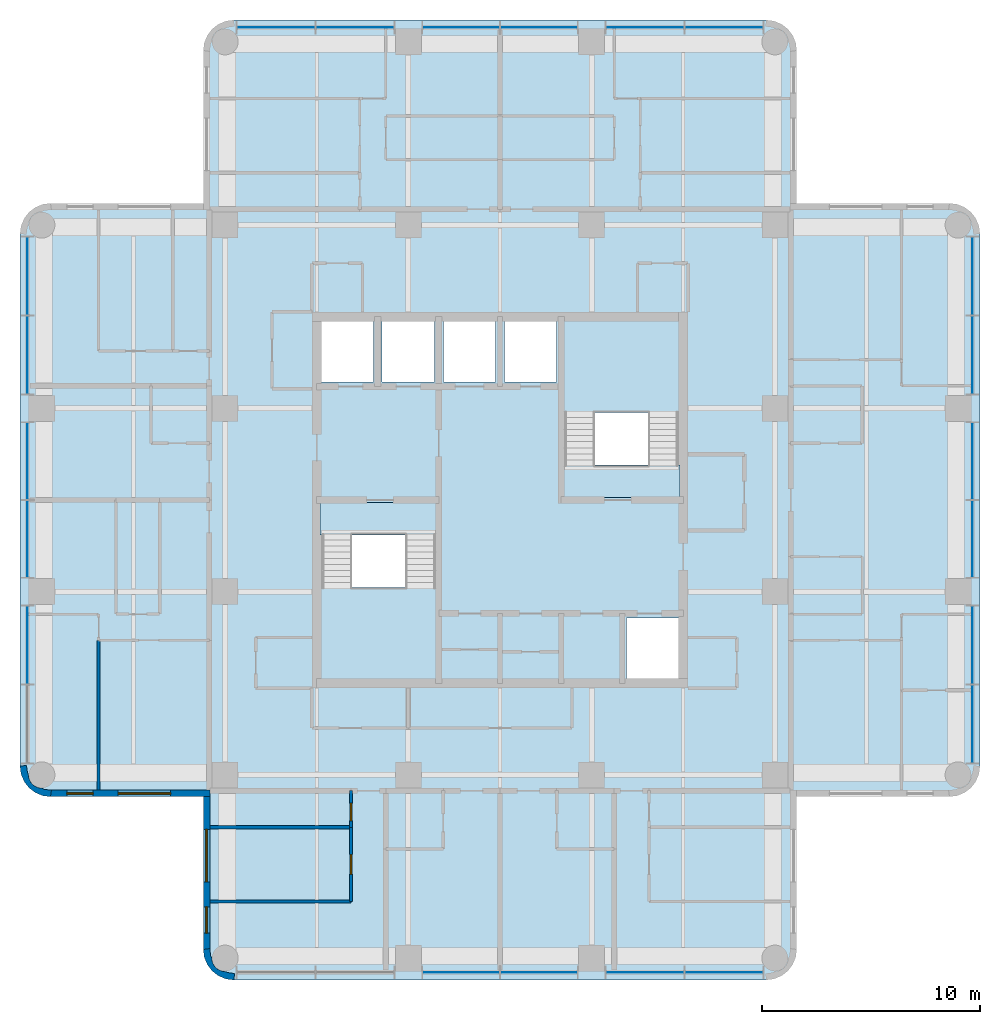
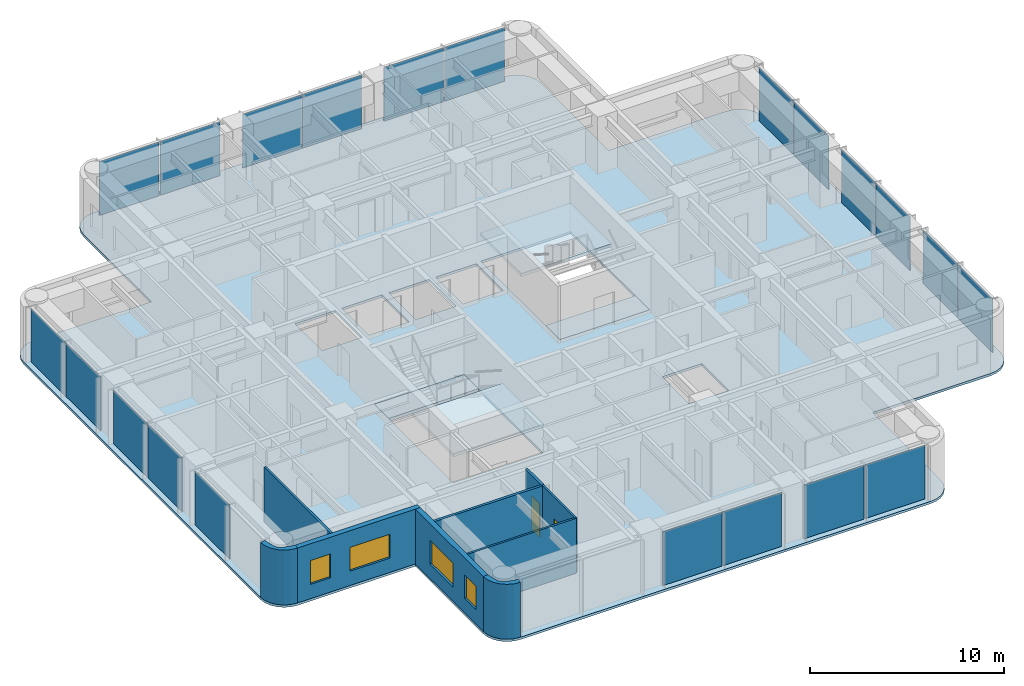
# One storey, part 3 of 10: 21 plates, 9 walls, 5 slabs, 4 windows, 2 doors, 6 openings, 6 elements without a shape of their own.
"""IFC4 building model written with IfcOpenShell, lengths in metres."""

from ifc_helpers import new_model, si_unit, direction, frame, frame_2d, origin, origin_2d, place, context, subcontext, project, spatial, polyline, rectangle, outline, extrude, material, layer, layer_set, type_object, element, fill, aggregate, save


model = new_model("IFC4")

# Units and contexts
model_context = context("Model", 3, precision=1e-05, world=origin(), true_north=direction((0.0, 1.0)))
body_context = subcontext(model_context, "Body", "Model", "MODEL_VIEW")
ifc_project = project(units=[si_unit("LENGTHUNIT", "METRE"), si_unit("AREAUNIT", "SQUARE_METRE"), si_unit("VOLUMEUNIT", "CUBIC_METRE"), si_unit("PLANEANGLEUNIT", "RADIAN"), si_unit("MASSUNIT", "GRAM", prefix="KILO")], contexts=[model_context])

# Site, building, storey
site_placement = place(None, origin())
site = spatial("IfcSite", under=ifc_project, at=site_placement, CompositionType="ELEMENT")
building_placement = place(site_placement, origin())
building = spatial("IfcBuilding", under=site, at=building_placement, Name="Torre Alcanfor", CompositionType="ELEMENT")
storey_placement = place(building_placement, frame((0.0, 0.0, 282.89990234375)))
storey = spatial("IfcBuildingStorey", under=building, at=storey_placement, Name="L74", CompositionType="ELEMENT", Elevation=282.89990234375)

# Curtain wall, plates
ifc_material_1 = material(Name="Aluminium and glass", Category="aluminium")
curtain_wall_type = type_object("IfcCurtainWallType", Name="CW-A unitised apartment glazing with vertical FIN", PredefinedType="NOTDEFINED", material=ifc_material_1)
curtain_wall_1_placement = place(storey_placement, origin())
curtain_wall_1 = element("IfcCurtainWall", 1, at=curtain_wall_1_placement, inside=storey, type_object=curtain_wall_type, Name="Curtain wall CW-A L74 2", PredefinedType="NOTDEFINED")
ifc_material_2 = material(Name="Glass", Category="glass")
ifc_layer_1 = layer(ifc_material_2, 0.028076171875)
ifc_layer_set_1 = layer_set([ifc_layer_1], Name="CW-A clear double glazed unit")
plate_type = type_object("IfcPlateType", Name="CW-A clear double glazed unit", PredefinedType="CURTAIN_PANEL", material=ifc_layer_set_1)
plate_1_placement = place(storey_placement, frame((7.75, 39.664794921875, 0.0), z_axis=(0.0, 0.0, 1.0), x_axis=(0.0, -1.0, 0.0)))
plate_1 = element("IfcPlate", 2, at=plate_1_placement, type_object=plate_type, Name="CW-A panel 1.1.1", PredefinedType="CURTAIN_PANEL", context=body_context, shape_type="SweptSolid", body=[
    extrude(rectangle(XDim=3.55322265625, YDim=0.028076171875, at=origin_2d()), origin(), (0.0, 0.0, 1.0), 3.385009765625),
])
plate_2_placement = place(storey_placement, frame((7.75, 36.046630859375, 0.0), z_axis=(0.0, 0.0, 1.0), x_axis=(0.0, -1.0, 0.0)))
plate_2 = element("IfcPlate", 3, at=plate_2_placement, type_object=plate_type, Name="CW-A panel 1.2.1", PredefinedType="CURTAIN_PANEL", context=body_context, shape_type="SweptSolid", body=[
    extrude(rectangle(XDim=3.55322265625, YDim=0.028076171875, at=origin_2d()), origin(), (0.0, 0.0, 1.0), 3.385009765625),
])
plate_3_placement = place(storey_placement, frame((7.75, 31.18115234375, 0.0), z_axis=(0.0, 0.0, 1.0), x_axis=(0.0, -1.0, 0.0)))
plate_3 = element("IfcPlate", 4, at=plate_3_placement, type_object=plate_type, Name="CW-A panel 2.1.1", PredefinedType="CURTAIN_PANEL", context=body_context, shape_type="SweptSolid", body=[
    extrude(rectangle(XDim=3.49755859375, YDim=0.028076171875, at=origin_2d()), origin(), (0.0, 0.0, 1.0), 3.385009765625),
])
plate_4_placement = place(storey_placement, frame((7.75, 27.61865234375, 0.0), z_axis=(0.0, 0.0, 1.0), x_axis=(0.0, -1.0, 0.0)))
plate_4 = element("IfcPlate", 5, at=plate_4_placement, type_object=plate_type, Name="CW-A panel 2.2.1", PredefinedType="CURTAIN_PANEL", context=body_context, shape_type="SweptSolid", body=[
    extrude(rectangle(XDim=3.49755859375, YDim=0.028076171875, at=origin_2d()), origin(), (0.0, 0.0, 1.0), 3.385009765625),
])
plate_5_placement = place(storey_placement, frame((7.75, 22.75341796875, 0.0), z_axis=(0.0, 0.0, 1.0), x_axis=(0.0, -1.0, 0.0)))
plate_5 = element("IfcPlate", 6, at=plate_5_placement, type_object=plate_type, Name="CW-A panel 3.1.1", PredefinedType="CURTAIN_PANEL", context=body_context, shape_type="SweptSolid", body=[
    extrude(rectangle(XDim=3.55322265625, YDim=0.028076171875, at=origin_2d()), origin(), (0.0, 0.0, 1.0), 3.385009765625),
])
aggregate(curtain_wall_1, [plate_1, plate_2, plate_3, plate_4, plate_5])

curtain_wall_2_placement = place(storey_placement, origin())
curtain_wall_2 = element("IfcCurtainWall", 7, at=curtain_wall_2_placement, inside=storey, type_object=curtain_wall_type, Name="Curtain wall CW-A L74 5", PredefinedType="NOTDEFINED")
plate_6_placement = place(storey_placement, frame((27.61865234375, 7.75, 0.0), z_axis=(0.0, 0.0, 1.0), x_axis=(1.0, 0.0, 0.0)))
plate_6 = element("IfcPlate", 8, at=plate_6_placement, type_object=plate_type, Name="CW-A panel 2.1.1", PredefinedType="CURTAIN_PANEL", context=body_context, shape_type="SweptSolid", body=[
    extrude(rectangle(XDim=3.49755859375, YDim=0.028076171875, at=origin_2d()), origin(), (0.0, 0.0, 1.0), 3.385009765625),
])
plate_7_placement = place(storey_placement, frame((31.18115234375, 7.75, 0.0), z_axis=(0.0, 0.0, 1.0), x_axis=(1.0, 0.0, 0.0)))
plate_7 = element("IfcPlate", 9, at=plate_7_placement, type_object=plate_type, Name="CW-A panel 2.2.1", PredefinedType="CURTAIN_PANEL", context=body_context, shape_type="SweptSolid", body=[
    extrude(rectangle(XDim=3.49755859375, YDim=0.028076171875, at=origin_2d()), origin(), (0.0, 0.0, 1.0), 3.385009765625),
])
plate_8_placement = place(storey_placement, frame((36.046630859375, 7.75, 0.0), z_axis=(0.0, 0.0, 1.0), x_axis=(1.0, 0.0, 0.0)))
plate_8 = element("IfcPlate", 10, at=plate_8_placement, type_object=plate_type, Name="CW-A panel 3.1.1", PredefinedType="CURTAIN_PANEL", context=body_context, shape_type="SweptSolid", body=[
    extrude(rectangle(XDim=3.55322265625, YDim=0.028076171875, at=origin_2d()), origin(), (0.0, 0.0, 1.0), 3.385009765625),
])
plate_9_placement = place(storey_placement, frame((39.664794921875, 7.75, 0.0), z_axis=(0.0, 0.0, 1.0), x_axis=(1.0, 0.0, 0.0)))
plate_9 = element("IfcPlate", 11, at=plate_9_placement, type_object=plate_type, Name="CW-A panel 3.2.1", PredefinedType="CURTAIN_PANEL", context=body_context, shape_type="SweptSolid", body=[
    extrude(rectangle(XDim=3.55322265625, YDim=0.028076171875, at=origin_2d()), origin(), (0.0, 0.0, 1.0), 3.385009765625),
])
aggregate(curtain_wall_2, [plate_6, plate_7, plate_8, plate_9])

curtain_wall_3_placement = place(storey_placement, origin())
curtain_wall_3 = element("IfcCurtainWall", 12, at=curtain_wall_3_placement, inside=storey, type_object=curtain_wall_type, Name="Curtain wall CW-A L74 8", PredefinedType="NOTDEFINED")
plate_10_placement = place(storey_placement, frame((51.050048828125, 19.135009765625, 0.0), z_axis=(0.0, 0.0, 1.0), x_axis=(0.0, 1.0, 0.0)))
plate_10 = element("IfcPlate", 13, at=plate_10_placement, type_object=plate_type, Name="CW-A panel 1.1.1", PredefinedType="CURTAIN_PANEL", context=body_context, shape_type="SweptSolid", body=[
    extrude(rectangle(XDim=3.55322265625, YDim=0.028076171875, at=origin_2d()), origin(), (0.0, 0.0, 1.0), 3.385009765625),
])
plate_11_placement = place(storey_placement, frame((51.050048828125, 22.75341796875, 0.0), z_axis=(0.0, 0.0, 1.0), x_axis=(0.0, 1.0, 0.0)))
plate_11 = element("IfcPlate", 14, at=plate_11_placement, type_object=plate_type, Name="CW-A panel 1.2.1", PredefinedType="CURTAIN_PANEL", context=body_context, shape_type="SweptSolid", body=[
    extrude(rectangle(XDim=3.55322265625, YDim=0.028076171875, at=origin_2d()), origin(), (0.0, 0.0, 1.0), 3.385009765625),
])
plate_12_placement = place(storey_placement, frame((51.050048828125, 27.61865234375, 0.0), z_axis=(0.0, 0.0, 1.0), x_axis=(0.0, 1.0, 0.0)))
plate_12 = element("IfcPlate", 15, at=plate_12_placement, type_object=plate_type, Name="CW-A panel 2.1.1", PredefinedType="CURTAIN_PANEL", context=body_context, shape_type="SweptSolid", body=[
    extrude(rectangle(XDim=3.49755859375, YDim=0.028076171875, at=origin_2d()), origin(), (0.0, 0.0, 1.0), 3.385009765625),
])
plate_13_placement = place(storey_placement, frame((51.050048828125, 31.18115234375, 0.0), z_axis=(0.0, 0.0, 1.0), x_axis=(0.0, 1.0, 0.0)))
plate_13 = element("IfcPlate", 16, at=plate_13_placement, type_object=plate_type, Name="CW-A panel 2.2.1", PredefinedType="CURTAIN_PANEL", context=body_context, shape_type="SweptSolid", body=[
    extrude(rectangle(XDim=3.49755859375, YDim=0.028076171875, at=origin_2d()), origin(), (0.0, 0.0, 1.0), 3.385009765625),
])
plate_14_placement = place(storey_placement, frame((51.050048828125, 36.046630859375, 0.0), z_axis=(0.0, 0.0, 1.0), x_axis=(0.0, 1.0, 0.0)))
plate_14 = element("IfcPlate", 17, at=plate_14_placement, type_object=plate_type, Name="CW-A panel 3.1.1", PredefinedType="CURTAIN_PANEL", context=body_context, shape_type="SweptSolid", body=[
    extrude(rectangle(XDim=3.55322265625, YDim=0.028076171875, at=origin_2d()), origin(), (0.0, 0.0, 1.0), 3.385009765625),
])
plate_15_placement = place(storey_placement, frame((51.050048828125, 39.664794921875, 0.0), z_axis=(0.0, 0.0, 1.0), x_axis=(0.0, 1.0, 0.0)))
plate_15 = element("IfcPlate", 18, at=plate_15_placement, type_object=plate_type, Name="CW-A panel 3.2.1", PredefinedType="CURTAIN_PANEL", context=body_context, shape_type="SweptSolid", body=[
    extrude(rectangle(XDim=3.55322265625, YDim=0.028076171875, at=origin_2d()), origin(), (0.0, 0.0, 1.0), 3.385009765625),
])
aggregate(curtain_wall_3, [plate_10, plate_11, plate_12, plate_13, plate_14, plate_15])

curtain_wall_4_placement = place(storey_placement, origin())
curtain_wall_4 = element("IfcCurtainWall", 19, at=curtain_wall_4_placement, inside=storey, type_object=curtain_wall_type, Name="Curtain wall CW-A L74 11", PredefinedType="NOTDEFINED")
plate_16_placement = place(storey_placement, frame((39.664794921875, 51.050048828125, 0.0), z_axis=(0.0, 0.0, 1.0), x_axis=(-1.0, 0.0, 0.0)))
plate_16 = element("IfcPlate", 20, at=plate_16_placement, type_object=plate_type, Name="CW-A panel 1.1.1", PredefinedType="CURTAIN_PANEL", context=body_context, shape_type="SweptSolid", body=[
    extrude(rectangle(XDim=3.55322265625, YDim=0.028076171875, at=origin_2d()), origin(), (0.0, 0.0, 1.0), 3.385009765625),
])
plate_17_placement = place(storey_placement, frame((36.046630859375, 51.050048828125, 0.0), z_axis=(0.0, 0.0, 1.0), x_axis=(-1.0, 0.0, 0.0)))
plate_17 = element("IfcPlate", 21, at=plate_17_placement, type_object=plate_type, Name="CW-A panel 1.2.1", PredefinedType="CURTAIN_PANEL", context=body_context, shape_type="SweptSolid", body=[
    extrude(rectangle(XDim=3.55322265625, YDim=0.028076171875, at=origin_2d()), origin(), (0.0, 0.0, 1.0), 3.385009765625),
])
plate_18_placement = place(storey_placement, frame((31.18115234375, 51.050048828125, 0.0), z_axis=(0.0, 0.0, 1.0), x_axis=(-1.0, 0.0, 0.0)))
plate_18 = element("IfcPlate", 22, at=plate_18_placement, type_object=plate_type, Name="CW-A panel 2.1.1", PredefinedType="CURTAIN_PANEL", context=body_context, shape_type="SweptSolid", body=[
    extrude(rectangle(XDim=3.49755859375, YDim=0.028076171875, at=origin_2d()), origin(), (0.0, 0.0, 1.0), 3.385009765625),
])
plate_19_placement = place(storey_placement, frame((27.61865234375, 51.050048828125, 0.0), z_axis=(0.0, 0.0, 1.0), x_axis=(-1.0, 0.0, 0.0)))
plate_19 = element("IfcPlate", 23, at=plate_19_placement, type_object=plate_type, Name="CW-A panel 2.2.1", PredefinedType="CURTAIN_PANEL", context=body_context, shape_type="SweptSolid", body=[
    extrude(rectangle(XDim=3.49755859375, YDim=0.028076171875, at=origin_2d()), origin(), (0.0, 0.0, 1.0), 3.385009765625),
])
plate_20_placement = place(storey_placement, frame((22.75341796875, 51.050048828125, 0.0), z_axis=(0.0, 0.0, 1.0), x_axis=(-1.0, 0.0, 0.0)))
plate_20 = element("IfcPlate", 24, at=plate_20_placement, type_object=plate_type, Name="CW-A panel 3.1.1", PredefinedType="CURTAIN_PANEL", context=body_context, shape_type="SweptSolid", body=[
    extrude(rectangle(XDim=3.55322265625, YDim=0.028076171875, at=origin_2d()), origin(), (0.0, 0.0, 1.0), 3.385009765625),
])
plate_21_placement = place(storey_placement, frame((19.135009765625, 51.050048828125, 0.0), z_axis=(0.0, 0.0, 1.0), x_axis=(-1.0, 0.0, 0.0)))
plate_21 = element("IfcPlate", 25, at=plate_21_placement, type_object=plate_type, Name="CW-A panel 3.2.1", PredefinedType="CURTAIN_PANEL", context=body_context, shape_type="SweptSolid", body=[
    extrude(rectangle(XDim=3.55322265625, YDim=0.028076171875, at=origin_2d()), origin(), (0.0, 0.0, 1.0), 3.385009765625),
])
aggregate(curtain_wall_4, [plate_16, plate_17, plate_18, plate_19, plate_20, plate_21])

# Slab
ifc_material_3 = material(Name="Concrete f'c 35 MPa", Category="concrete")
ifc_layer_2 = layer(ifc_material_3, 0.14990234375)
ifc_layer_set_2 = layer_set([ifc_layer_2], Name="Composite floor 150 on metal deck")
slab_type_1 = type_object("IfcSlabType", Name="Composite floor 150 on metal deck", PredefinedType="FLOOR", material=ifc_layer_set_2)
slab_1_placement = place(storey_placement, frame((0.0, 0.0, -0.14990234375)))
element("IfcSlab", 26, at=slab_1_placement, inside=storey, type_object=slab_type_1, Name="Floor slab L74", PredefinedType="FLOOR", context=body_context, shape_type="SweptSolid", body=[
    extrude(outline(polyline([(15.800048828125, 43.0), (8.800048828125, 43.0), (8.437744140625, 42.952392578125), (8.10009765625, 42.8125), (7.81005859375, 42.58984375), (7.587646484375, 42.300048828125), (7.44775390625, 41.96240234375), (7.39990234375, 41.60009765625), (7.39990234375, 17.199951171875), (7.44775390625, 16.837646484375), (7.587646484375, 16.5), (7.81005859375, 16.210205078125), (8.10009765625, 15.987548828125), (8.437744140625, 15.84765625), (8.800048828125, 15.800048828125), (15.800048828125, 15.800048828125), (15.800048828125, 8.800048828125), (15.84765625, 8.437744140625), (15.987548828125, 8.10009765625), (16.210205078125, 7.81005859375), (16.5, 7.587646484375), (16.837646484375, 7.44775390625), (17.199951171875, 7.39990234375), (41.60009765625, 7.39990234375), (41.96240234375, 7.44775390625), (42.300048828125, 7.587646484375), (42.58984375, 7.81005859375), (42.8125, 8.10009765625), (42.952392578125, 8.437744140625), (43.0, 8.800048828125), (43.0, 15.800048828125), (50.0, 15.800048828125), (50.3623046875, 15.84765625), (50.699951171875, 15.987548828125), (50.989990234375, 16.210205078125), (51.21240234375, 16.5), (51.352294921875, 16.837646484375), (51.39990234375, 17.199951171875), (51.39990234375, 41.60009765625), (51.352294921875, 41.96240234375), (51.21240234375, 42.300048828125), (50.989990234375, 42.58984375), (50.699951171875, 42.8125), (50.3623046875, 42.952392578125), (50.0, 43.0), (43.0, 43.0), (43.0, 50.0), (42.952392578125, 50.3623046875), (42.8125, 50.699951171875), (42.58984375, 50.989990234375), (42.300048828125, 51.21240234375), (41.96240234375, 51.352294921875), (41.60009765625, 51.39990234375), (17.199951171875, 51.39990234375), (16.837646484375, 51.352294921875), (16.5, 51.21240234375), (16.210205078125, 50.989990234375), (15.987548828125, 50.699951171875), (15.84765625, 50.3623046875), (15.800048828125, 50.0), (15.800048828125, 43.0)]), holes=[polyline([(21.14501953125, 21.14501953125), (26.47998046875, 21.14501953125), (26.47998046875, 29.280029296875), (21.14501953125, 29.280029296875), (21.14501953125, 21.14501953125)]), polyline([(32.320068359375, 29.52001953125), (37.655029296875, 29.52001953125), (37.655029296875, 37.655029296875), (32.320068359375, 37.655029296875), (32.320068359375, 29.52001953125)]), polyline([(35.199951171875, 21.22509765625), (37.574951171875, 21.22509765625), (37.574951171875, 24.0), (35.199951171875, 24.0), (35.199951171875, 21.22509765625)]), polyline([(21.22509765625, 34.800048828125), (23.60009765625, 34.800048828125), (23.60009765625, 37.574951171875), (21.22509765625, 37.574951171875), (21.22509765625, 34.800048828125)]), polyline([(24.0, 34.800048828125), (26.39990234375, 34.800048828125), (26.39990234375, 37.574951171875), (24.0, 37.574951171875), (24.0, 34.800048828125)]), polyline([(26.800048828125, 34.800048828125), (29.199951171875, 34.800048828125), (29.199951171875, 37.574951171875), (26.800048828125, 37.574951171875), (26.800048828125, 34.800048828125)]), polyline([(29.60009765625, 34.800048828125), (32.0, 34.800048828125), (32.0, 37.574951171875), (29.60009765625, 37.574951171875), (29.60009765625, 34.800048828125)])]), origin(), (0.0, 0.0, 1.0), 0.14990234375),
])

# Stair, slabs
ifc_material_4 = material(Name="Concrete f'c 35 MPa", Category="concrete")
stair_type_1 = type_object("IfcStairType", Name="Exit stair S1 1400 wide", PredefinedType="HALF_TURN_STAIR", material=ifc_material_4)
stair_1_placement = place(storey_placement, origin())
stair_1 = element("IfcStair", 27, at=stair_1_placement, inside=storey, type_object=stair_type_1, Name="Stair S1 L74 to L75", PredefinedType="HALF_TURN_STAIR")
ifc_material_5 = material(Name="Concrete f'c 35 MPa", Category="concrete")
ifc_layer_3 = layer(ifc_material_5, 0.199951171875)
ifc_layer_set_3 = layer_set([ifc_layer_3], Name="Stair landing 200")
slab_type_2 = type_object("IfcSlabType", Name="Stair landing 200", PredefinedType="LANDING", material=ifc_layer_set_3)
slab_2_placement = place(storey_placement, frame((0.0, 0.0, -0.199951171875)))
slab_2 = element("IfcSlab", 28, at=slab_2_placement, type_object=slab_type_2, Name="S1 landing 1", PredefinedType="LANDING", context=body_context, shape_type="SweptSolid", body=[
    extrude(outline(polyline([(21.14501953125, 27.800048828125), (26.47998046875, 27.800048828125), (26.47998046875, 29.280029296875), (21.14501953125, 29.280029296875), (21.14501953125, 27.800048828125)])), origin(), (0.0, 0.0, 1.0), 0.199951171875),
])
slab_3_placement = place(storey_placement, frame((0.0, 0.0, 1.60009765625)))
slab_3 = element("IfcSlab", 29, at=slab_3_placement, type_object=slab_type_2, Name="S1 landing 2", PredefinedType="LANDING", context=body_context, shape_type="SweptSolid", body=[
    extrude(outline(polyline([(21.14501953125, 21.14501953125), (26.530029296875, 21.14501953125), (26.530029296875, 25.3798828125), (21.14501953125, 25.3798828125), (21.14501953125, 21.14501953125)])), origin(), (0.0, 0.0, 1.0), 0.199951171875),
])
aggregate(stair_1, [slab_2, slab_3])

ifc_material_6 = material(Name="Concrete f'c 35 MPa", Category="concrete")
stair_type_2 = type_object("IfcStairType", Name="Exit stair S2 1400 wide", PredefinedType="HALF_TURN_STAIR", material=ifc_material_6)
stair_2_placement = place(storey_placement, origin())
stair_2 = element("IfcStair", 30, at=stair_2_placement, inside=storey, type_object=stair_type_2, Name="Stair S2 L74 to L75", PredefinedType="HALF_TURN_STAIR")
slab_4_placement = place(storey_placement, frame((0.0, 0.0, -0.199951171875)))
slab_4 = element("IfcSlab", 31, at=slab_4_placement, type_object=slab_type_2, Name="S2 landing 1", PredefinedType="LANDING", context=body_context, shape_type="SweptSolid", body=[
    extrude(outline(polyline([(32.320068359375, 29.52001953125), (37.655029296875, 29.52001953125), (37.655029296875, 31.0), (32.320068359375, 31.0), (32.320068359375, 29.52001953125)])), origin(), (0.0, 0.0, 1.0), 0.199951171875),
])
slab_5_placement = place(storey_placement, frame((0.0, 0.0, 1.60009765625)))
slab_5 = element("IfcSlab", 32, at=slab_5_placement, type_object=slab_type_2, Name="S2 landing 2", PredefinedType="LANDING", context=body_context, shape_type="SweptSolid", body=[
    extrude(outline(polyline([(32.27001953125, 33.419921875), (37.655029296875, 33.419921875), (37.655029296875, 37.655029296875), (32.27001953125, 37.655029296875), (32.27001953125, 33.419921875)])), origin(), (0.0, 0.0, 1.0), 0.199951171875),
])
aggregate(stair_2, [slab_4, slab_5])

# Wall
ifc_material_7 = material(Name="Gypsum board on steel studs", Category="steel")
ifc_layer_4 = layer(ifc_material_7, 0.1201171875)
ifc_layer_set_4 = layer_set([ifc_layer_4], Name="Apartment partition 120")
wall_type_1 = type_object("IfcWallType", Name="Apartment partition 120", PredefinedType="PARTITIONING", material=ifc_layer_set_4)
wall_1_placement = place(storey_placement, frame((16.10009765625, 11.0, 0.0), z_axis=(0.0, 0.0, 1.0), x_axis=(1.0, 0.0, 0.0)))
element("IfcWall", 33, at=wall_1_placement, inside=storey, type_object=wall_type_1, Name="Partition L74-S2B-LIVING / L74-S2B-MASTER", PredefinedType="PARTITIONING", context=body_context, shape_type="SweptSolid", body=[
    extrude(rectangle(XDim=6.470947265625, YDim=0.1201171875, at=frame_2d((3.2353515625, 0.0))), origin(), (0.0, 0.0, 1.0), 3.4501953125),
])

# Wall, opening, door
wall_2_placement = place(storey_placement, frame((22.571044921875, 11.0, 0.0), z_axis=(0.0, 0.0, 1.0), x_axis=(0.0, 1.0, 0.0)))
wall_2 = element("IfcWall", 34, at=wall_2_placement, inside=storey, type_object=wall_type_1, Name="Partition L74-S2B-LIVING / L74-S2B-MASTER", PredefinedType="PARTITIONING", context=body_context, shape_type="SweptSolid", body=[
    extrude(rectangle(XDim=3.39990234375, YDim=0.1201171875, at=frame_2d((1.699951171875, 0.0))), origin(), (0.0, 0.0, 1.0), 3.4501953125),
])
opening_1_placement = place(wall_2_placement, frame((1.25, 0.0, 0.0)))
opening_1 = element("IfcOpeningElement", 35, at=opening_1_placement, cuts=wall_2, Name="Opening D-R1", PredefinedType="OPENING", context=body_context, shape_type="SweptSolid", body=[
    extrude(rectangle(XDim=0.89990234375, YDim=2.10009765625, at=frame_2d((0.449951171875, 1.050048828125))), frame((0.0, 0.070068359375, 0.0), z_axis=(0.0, -1.0, 0.0), x_axis=(1.0, 0.0, 0.0)), (0.0, 0.0, 1.0), 0.14013671875),
])
ifc_material_8 = material(Name="Timber", Category="wood")
door_type_1 = type_object("IfcDoorType", Name="Internal door 900x2100", OperationType="SINGLE_SWING_LEFT", PredefinedType="DOOR", material=ifc_material_8)
door_1_placement = place(opening_1_placement, origin())
door_1 = element("IfcDoor", 36, at=door_1_placement, inside=storey, type_object=door_type_1, Name="Door L74-S2B master", OperationType="SINGLE_SWING_LEFT", OverallHeight=2.10009765625, OverallWidth=0.89990234375, PredefinedType="DOOR", context=body_context, shape_type="SweptSolid", body=[
    extrude(rectangle(XDim=0.89990234375, YDim=2.10009765625, at=frame_2d((0.449951171875, 1.050048828125))), frame((0.0, 0.02490234375, 0.0), z_axis=(0.0, -1.0, 0.0), x_axis=(1.0, 0.0, 0.0)), (0.0, 0.0, 1.0), 0.050048828125),
])
fill(opening_1, door_1)

# Wall
wall_3_placement = place(storey_placement, frame((11.0, 22.970947265625, 0.0), z_axis=(0.0, 0.0, 1.0), x_axis=(0.0, -1.0, 0.0)))
element("IfcWall", 37, at=wall_3_placement, inside=storey, type_object=wall_type_1, Name="Partition L74-W1-BED2 / L74-W1-MASTER", PredefinedType="PARTITIONING", context=body_context, shape_type="SweptSolid", body=[
    extrude(rectangle(XDim=6.870849609375, YDim=0.1201171875, at=frame_2d((3.435546875, 0.0))), origin(), (0.0, 0.0, 1.0), 3.4501953125),
])

# Wall, openings, windows
ifc_material_9 = material(Name="Limestone cladding", Category="masonry")
ifc_layer_5 = layer(ifc_material_9, 0.0400390625, Name="Facing")
ifc_material_10 = material(Name="Ventilated air cavity")
ifc_layer_6 = layer(ifc_material_10, 0.02001953125, ventilated=True, Name="Ventilated joint")
ifc_material_11 = material(Name="Mineral wool insulation", Category="insulation")
ifc_layer_7 = layer(ifc_material_11, 0.10009765625, Name="Insulation")
ifc_material_12 = material(Name="Concrete f'c 35 MPa", Category="concrete")
ifc_layer_8 = layer(ifc_material_12, 0.139892578125, Name="Backing")
ifc_layer_set_5 = layer_set([ifc_layer_5, ifc_layer_6, ifc_layer_7, ifc_layer_8], Name="External wall stone-clad 300")
wall_type_2 = type_object("IfcWallType", Name="External wall stone-clad 300", PredefinedType="SOLIDWALL", material=ifc_layer_set_5)
wall_4_placement = place(storey_placement, frame((8.800048828125, 15.949951171875, 0.0), z_axis=(0.0, 0.0, 1.0), x_axis=(1.0, 0.0, 0.0)))
wall_4 = element("IfcWall", 38, at=wall_4_placement, inside=storey, type_object=wall_type_2, Name="External wall L74 3", PredefinedType="SOLIDWALL", context=body_context, shape_type="SweptSolid", body=[
    extrude(rectangle(XDim=7.300048828125, YDim=0.300048828125, at=frame_2d((3.64990234375, 0.0))), origin(), (0.0, 0.0, 1.0), 3.4501953125),
])
opening_2_placement = place(wall_4_placement, frame((3.10009765625, 0.0, 0.89990234375)))
opening_2 = element("IfcOpeningElement", 39, at=opening_2_placement, cuts=wall_4, Name="Opening W1", PredefinedType="OPENING", context=body_context, shape_type="SweptSolid", body=[
    extrude(rectangle(XDim=2.39990234375, YDim=1.5, at=frame_2d((1.199951171875, 0.75))), frame((0.0, 0.159912109375, 0.0), z_axis=(0.0, -1.0, 0.0), x_axis=(1.0, 0.0, 0.0)), (0.0, 0.0, 1.0), 0.320068359375),
])
opening_3_placement = place(wall_4_placement, frame((0.75, 0.0, 0.89990234375)))
opening_3 = element("IfcOpeningElement", 40, at=opening_3_placement, cuts=wall_4, Name="Opening W4", PredefinedType="OPENING", context=body_context, shape_type="SweptSolid", body=[
    extrude(rectangle(XDim=1.199951171875, YDim=1.5, at=frame_2d((0.60009765625, 0.75))), frame((0.0, 0.159912109375, 0.0), z_axis=(0.0, -1.0, 0.0), x_axis=(1.0, 0.0, 0.0)), (0.0, 0.0, 1.0), 0.320068359375),
])
ifc_material_13 = material(Name="Aluminium frame with clear double glazing", Category="aluminium")
window_type_1 = type_object("IfcWindowType", Name="Window bedroom 1200x1500", PartitioningType="SINGLE_PANEL", PredefinedType="WINDOW", material=ifc_material_13)
window_1_placement = place(opening_3_placement, origin())
window_1 = element("IfcWindow", 41, at=window_1_placement, inside=storey, type_object=window_type_1, Name="Window W4 L74-W1", OverallHeight=1.5, OverallWidth=1.199951171875, PartitioningType="SINGLE_PANEL", PredefinedType="WINDOW", context=body_context, shape_type="SweptSolid", body=[
    extrude(rectangle(XDim=1.199951171875, YDim=1.5, at=frame_2d((0.60009765625, 0.75))), frame((0.0, 0.030029296875, 0.0), z_axis=(0.0, -1.0, 0.0), x_axis=(1.0, 0.0, 0.0)), (0.0, 0.0, 1.0), 0.06005859375),
])
fill(opening_3, window_1)
ifc_material_14 = material(Name="Aluminium frame with clear double glazing", Category="aluminium")
window_type_2 = type_object("IfcWindowType", Name="Window bedroom 2400x1500", PartitioningType="SINGLE_PANEL", PredefinedType="WINDOW", material=ifc_material_14)
window_2_placement = place(opening_2_placement, origin())
window_2 = element("IfcWindow", 42, at=window_2_placement, inside=storey, type_object=window_type_2, Name="Window W1 L74-W1", OverallHeight=1.5, OverallWidth=2.39990234375, PartitioningType="SINGLE_PANEL", PredefinedType="WINDOW", context=body_context, shape_type="SweptSolid", body=[
    extrude(rectangle(XDim=2.39990234375, YDim=1.5, at=frame_2d((1.199951171875, 0.75))), frame((0.0, 0.030029296875, 0.0), z_axis=(0.0, -1.0, 0.0), x_axis=(1.0, 0.0, 0.0)), (0.0, 0.0, 1.0), 0.06005859375),
])
fill(opening_2, window_2)

wall_5_placement = place(storey_placement, frame((15.949951171875, 15.800048828125, 0.0), z_axis=(0.0, 0.0, 1.0), x_axis=(0.0, -1.0, 0.0)))
wall_5 = element("IfcWall", 43, at=wall_5_placement, inside=storey, type_object=wall_type_2, Name="External wall L74 4", PredefinedType="SOLIDWALL", context=body_context, shape_type="SweptSolid", body=[
    extrude(rectangle(XDim=7.0, YDim=0.300048828125, at=frame_2d((3.5, 0.0))), origin(), (0.0, 0.0, 1.0), 3.4501953125),
])
opening_4_placement = place(wall_5_placement, frame((1.5, 0.0, 0.89990234375)))
opening_4 = element("IfcOpeningElement", 44, at=opening_4_placement, cuts=wall_5, Name="Opening W1", PredefinedType="OPENING", context=body_context, shape_type="SweptSolid", body=[
    extrude(rectangle(XDim=2.39990234375, YDim=1.5, at=frame_2d((1.199951171875, 0.75))), frame((0.0, 0.159912109375, 0.0), z_axis=(0.0, -1.0, 0.0), x_axis=(1.0, 0.0, 0.0)), (0.0, 0.0, 1.0), 0.320068359375),
])
opening_5_placement = place(wall_5_placement, frame((5.050048828125, 0.0, 0.89990234375)))
opening_5 = element("IfcOpeningElement", 45, at=opening_5_placement, cuts=wall_5, Name="Opening W4", PredefinedType="OPENING", context=body_context, shape_type="SweptSolid", body=[
    extrude(rectangle(XDim=1.199951171875, YDim=1.5, at=frame_2d((0.60009765625, 0.75))), frame((0.0, 0.159912109375, 0.0), z_axis=(0.0, -1.0, 0.0), x_axis=(1.0, 0.0, 0.0)), (0.0, 0.0, 1.0), 0.320068359375),
])
window_3_placement = place(opening_5_placement, origin())
window_3 = element("IfcWindow", 46, at=window_3_placement, inside=storey, type_object=window_type_1, Name="Window W4 L74-S2", OverallHeight=1.5, OverallWidth=1.199951171875, PartitioningType="SINGLE_PANEL", PredefinedType="WINDOW", context=body_context, shape_type="SweptSolid", body=[
    extrude(rectangle(XDim=1.199951171875, YDim=1.5, at=frame_2d((0.60009765625, 0.75))), frame((0.0, 0.030029296875, 0.0), z_axis=(0.0, -1.0, 0.0), x_axis=(1.0, 0.0, 0.0)), (0.0, 0.0, 1.0), 0.06005859375),
])
fill(opening_5, window_3)
window_4_placement = place(opening_4_placement, origin())
window_4 = element("IfcWindow", 47, at=window_4_placement, inside=storey, type_object=window_type_2, Name="Window W1 L74-S2", OverallHeight=1.5, OverallWidth=2.39990234375, PartitioningType="SINGLE_PANEL", PredefinedType="WINDOW", context=body_context, shape_type="SweptSolid", body=[
    extrude(rectangle(XDim=2.39990234375, YDim=1.5, at=frame_2d((1.199951171875, 0.75))), frame((0.0, 0.030029296875, 0.0), z_axis=(0.0, -1.0, 0.0), x_axis=(1.0, 0.0, 0.0)), (0.0, 0.0, 1.0), 0.06005859375),
])
fill(opening_4, window_4)

# Walls
ifc_layer_9 = layer(ifc_material_9, 0.0400390625, Name="Facing")
ifc_layer_10 = layer(ifc_material_10, 0.02001953125, ventilated=True, Name="Ventilated joint")
ifc_layer_11 = layer(ifc_material_11, 0.10009765625, Name="Insulation")
ifc_layer_12 = layer(ifc_material_12, 0.139892578125, Name="Backing")
ifc_layer_set_6 = layer_set([ifc_layer_9, ifc_layer_10, ifc_layer_11, ifc_layer_12], Name="Rounded corner pier stone-clad 300")
wall_type_3 = type_object("IfcWallType", Name="Rounded corner pier stone-clad 300", PredefinedType="SOLIDWALL", material=ifc_layer_set_6)
wall_6_placement = place(storey_placement, frame((7.824101883, 17.161581746, 0.0), z_axis=(0.0, 0.0, 1.0), x_axis=(-0.707106781187, -0.707106781187, 0.0)))
element("IfcWall", 48, at=wall_6_placement, inside=storey, type_object=wall_type_3, Name="Corner pier L74 14", PredefinedType="SOLIDWALL", context=body_context, shape_type="SweptSolid", body=[
    extrude(outline(polyline([(0.04667321568762184, 1.4544919802800873), (0.23311738650829356, 1.2117692912302127), (0.29215804060150635, 1.069174027250699), (0.3579314008632433, 1.0034006669889621), (0.4494271513585729, 0.7824297978681659), (0.4494271513585729, 0.5431597786483039), (0.35793140086324327, 0.322534176510509), (0.2921580406015063, 0.256760816248772), (0.23311738650829356, 0.11416555226925829), (0.046673215687621845, -0.12890240376361745), (0.032689902876071465, -0.14288571657516783), (0.2728230895534366, -0.32708565200633144), (0.4951750266062377, -0.037061386285286546), (0.6350081547217414, 0.30060972308993), (0.6826549983759133, 0.6627947882582349), (0.6350081547217414, 1.025325120409541), (0.49517502660623774, 1.3629962297847575), (0.27265045606193605, 1.652847862014302), (0.03251726938457078, 1.4686479265831383), (0.04667321568762184, 1.4544919802800873)])), origin(), (0.0, 0.0, 1.0), 3.4501953125),
])
wall_7_placement = place(storey_placement, frame((16.224101883, 8.761581746, 0.0), z_axis=(0.0, 0.0, 1.0), x_axis=(-0.707106781187, -0.707106781187, 0.0)))
element("IfcWall", 49, at=wall_7_placement, inside=storey, type_object=wall_type_3, Name="Corner pier L74 15", PredefinedType="SOLIDWALL", context=body_context, shape_type="SweptSolid", body=[
    extrude(outline(polyline([(0.032689902876070875, 1.4686824532814384), (0.04667321568762128, 1.4546991404698881), (0.233117386508293, 1.2116311844370125), (0.29215804060150563, 1.0690359204574986), (0.3579314008632426, 1.0032625601957617), (0.44942715135857225, 0.7826369580579667), (0.44942715135857225, 0.5433669388381047), (0.3579314008632426, 0.3223960697173086), (0.29215804060150563, 0.25662270945557164), (0.23311738650829295, 0.11402744547605792), (0.04667321568762121, -0.12869524357381656), (0.03251726938457021, -0.14285118987686757), (0.27265045606193533, -0.3270511253080312), (0.49517502660623713, -0.03719949307848694), (0.6350081547217409, 0.3004716162967297), (0.6826549983759126, 0.6630019484480357), (0.6350081547217409, 1.0251870136163408), (0.495175026606237, 1.362858122991557), (0.27282308955343604, 1.652882388712602), (0.032689902876070875, 1.4686824532814384)])), origin(), (0.0, 0.0, 1.0), 3.4501953125),
])

# Wall, opening, door
ifc_material_15 = material(Name="Cement board on steel studs", Category="steel")
ifc_layer_13 = layer(ifc_material_15, 0.14990234375)
ifc_layer_set_7 = layer_set([ifc_layer_13], Name="Wet area partition 150")
wall_type_4 = type_object("IfcWallType", Name="Wet area partition 150", PredefinedType="PARTITIONING", material=ifc_layer_set_7)
wall_8_placement = place(storey_placement, frame((22.571044921875, 14.39990234375, 0.0), z_axis=(0.0, 0.0, 1.0), x_axis=(0.0, 1.0, 0.0)))
wall_8 = element("IfcWall", 50, at=wall_8_placement, inside=storey, type_object=wall_type_4, Name="Partition L74-S2B-LIVING / L74-S2B-BATH", PredefinedType="PARTITIONING", context=body_context, shape_type="SweptSolid", body=[
    extrude(rectangle(XDim=1.675048828125, YDim=0.14990234375, at=frame_2d((0.83740234375, 0.0))), origin(), (0.0, 0.0, 1.0), 3.4501953125),
])
opening_6_placement = place(wall_8_placement, frame((0.300048828125, 0.0, 0.0)))
opening_6 = element("IfcOpeningElement", 51, at=opening_6_placement, cuts=wall_8, Name="Opening D-R2", PredefinedType="OPENING", context=body_context, shape_type="SweptSolid", body=[
    extrude(rectangle(XDim=0.800048828125, YDim=2.10009765625, at=frame_2d((0.39990234375, 1.050048828125))), frame((0.0, 0.0849609375, 0.0), z_axis=(0.0, -1.0, 0.0), x_axis=(1.0, 0.0, 0.0)), (0.0, 0.0, 1.0), 0.169921875),
])
ifc_material_16 = material(Name="Timber", Category="wood")
door_type_2 = type_object("IfcDoorType", Name="Bathroom door 800x2100", OperationType="SINGLE_SWING_LEFT", PredefinedType="DOOR", material=ifc_material_16)
door_2_placement = place(opening_6_placement, origin())
door_2 = element("IfcDoor", 52, at=door_2_placement, inside=storey, type_object=door_type_2, Name="Door L74-S2B bath", OperationType="SINGLE_SWING_LEFT", OverallHeight=2.10009765625, OverallWidth=0.800048828125, PredefinedType="DOOR", context=body_context, shape_type="SweptSolid", body=[
    extrude(rectangle(XDim=0.800048828125, YDim=2.10009765625, at=frame_2d((0.39990234375, 1.050048828125))), frame((0.0, 0.02490234375, 0.0), z_axis=(0.0, -1.0, 0.0), x_axis=(1.0, 0.0, 0.0)), (0.0, 0.0, 1.0), 0.050048828125),
])
fill(opening_6, door_2)

# Wall
wall_9_placement = place(storey_placement, frame((22.571044921875, 14.39990234375, 0.0), z_axis=(0.0, 0.0, 1.0), x_axis=(-1.0, 0.0, 0.0)))
element("IfcWall", 53, at=wall_9_placement, inside=storey, type_object=wall_type_4, Name="Partition L74-S2B-BATH / L74-S2B-MASTER", PredefinedType="PARTITIONING", context=body_context, shape_type="SweptSolid", body=[
    extrude(rectangle(XDim=6.470947265625, YDim=0.14990234375, at=frame_2d((3.2353515625, 0.0))), origin(), (0.0, 0.0, 1.0), 3.4501953125),
])

save(model, "model.ifc")
